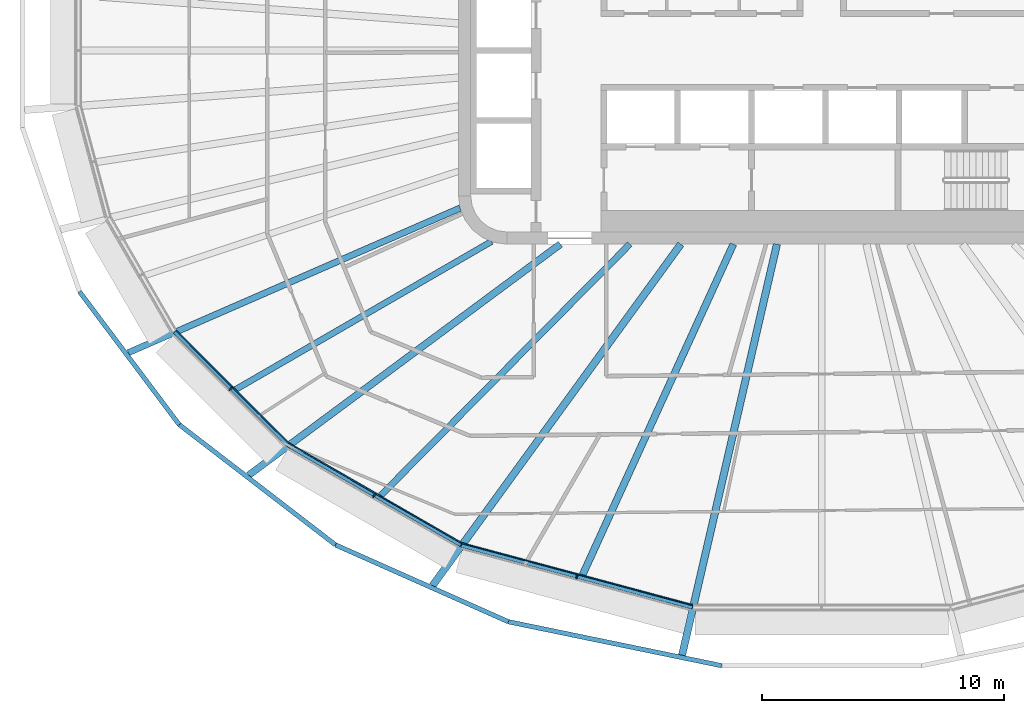
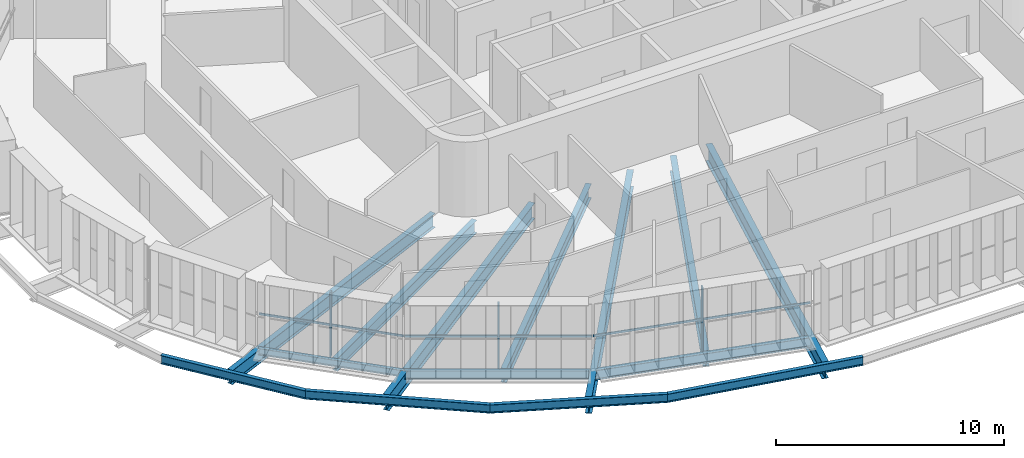
# One storey, part 1 of 22: 14 beams, 6 members, 3 elements without a shape of their own.
"""IFC4 building model written with IfcOpenShell, lengths in metres."""

from ifc_helpers import new_model, si_unit, direction, frame, origin, origin_2d, place, context, subcontext, project, spatial, rectangle, i_section, extrude, material, layer, layer_set, material_profile, profile_set, type_object, element, aggregate, save


model = new_model("IFC4")

# Units and contexts
model_context = context("Model", 3, precision=1e-05, world=origin(), true_north=direction((0.0, 1.0)))
body_context = subcontext(model_context, "Body", "Model", "MODEL_VIEW")
ifc_project = project(units=[si_unit("LENGTHUNIT", "METRE"), si_unit("AREAUNIT", "SQUARE_METRE"), si_unit("VOLUMEUNIT", "CUBIC_METRE"), si_unit("PLANEANGLEUNIT", "RADIAN"), si_unit("MASSUNIT", "GRAM", prefix="KILO")], contexts=[model_context])

# Site, building, storey
site_placement = place(None, origin())
site = spatial("IfcSite", under=ifc_project, at=site_placement, CompositionType="ELEMENT")
building_placement = place(site_placement, origin())
building = spatial("IfcBuilding", under=site, at=building_placement, Name="Sahrelin Media Tower", CompositionType="ELEMENT")
storey_placement = place(building_placement, frame((0.0, 0.0, 189.60009765625)))
storey = spatial("IfcBuildingStorey", under=building, at=storey_placement, Name="L40", CompositionType="ELEMENT", Elevation=189.60009765625)

# Beams
ifc_material_1 = material(Name="Steel S355", Category="steel")
ifc_material_profile_1 = material_profile(ifc_material_1, i_section(OverallWidth=0.17138671875, OverallDepth=0.35498046875, WebThickness=0.00732421875, FlangeThickness=0.011474609375, FilletRadius=0.01025390625, at=origin_2d()), Name="UB 356x171x51")
ifc_profile_set_1 = profile_set([ifc_material_profile_1], Name="Steel S355")
beam_type_1 = type_object("IfcBeamType", Name="Edge beam EB3", PredefinedType="BEAM", material=ifc_profile_set_1)
beam_1_placement = place(storey_placement, frame((-22.05224609375, -16.27490234375, -0.32763671875), z_axis=(-0.70708825429, 0.707125307597, 0.0), x_axis=(-0.707125307597, -0.70708825429, 0.0)))
element("IfcBeam", 1, at=beam_1_placement, inside=storey, type_object=beam_type_1, Name="Edge beam L40-10", PredefinedType="BEAM", context=body_context, shape_type="SweptSolid", body=[
    extrude(i_section(OverallWidth=0.17138671875, OverallDepth=0.35498046875, WebThickness=0.00732421875, FlangeThickness=0.011474609375, FilletRadius=0.01025390625, at=origin_2d()), origin(), (0.0, 0.0, 1.0), 6.5888671875),
])
ifc_material_profile_2 = material_profile(ifc_material_1, i_section(OverallWidth=0.1904296875, OverallDepth=0.45703125, WebThickness=0.009033203125, FlangeThickness=0.014404296875, FilletRadius=0.01025390625, at=origin_2d()), Name="UB 457x191x74")
ifc_profile_set_2 = profile_set([ifc_material_profile_2], Name="Steel S355")
beam_type_2 = type_object("IfcBeamType", Name="Edge beam EB5", PredefinedType="BEAM", material=ifc_profile_set_2)
beam_2_placement = place(storey_placement, frame((-14.901611328125, -20.40771484375, -0.378662109375), z_axis=(-0.8660092336, 0.500028006535, 0.0), x_axis=(-0.500028006535, -0.8660092336, 0.0)))
element("IfcBeam", 2, at=beam_2_placement, inside=storey, type_object=beam_type_2, Name="Edge beam L40-09", PredefinedType="BEAM", context=body_context, shape_type="SweptSolid", body=[
    extrude(i_section(OverallWidth=0.1904296875, OverallDepth=0.45703125, WebThickness=0.009033203125, FlangeThickness=0.014404296875, FilletRadius=0.01025390625, at=origin_2d()), origin(), (0.0, 0.0, 1.0), 8.23046875),
])
ifc_material_profile_3 = material_profile(ifc_material_1, i_section(OverallWidth=0.208740234375, OverallDepth=0.5283203125, WebThickness=0.009521484375, FlangeThickness=0.01318359375, FilletRadius=0.0126953125, at=origin_2d()), Name="UB 533x210x82")
ifc_profile_set_3 = profile_set([ifc_material_profile_3], Name="Steel S355")
beam_type_3 = type_object("IfcBeamType", Name="Edge beam EB6", PredefinedType="BEAM", material=ifc_profile_set_3)
beam_3_placement = place(storey_placement, frame((-5.333984375, -22.97509765625, -0.414306640625), z_axis=(-0.965928634298, 0.258808565244, 0.0), x_axis=(-0.258808565244, -0.965928634298, 0.0)))
element("IfcBeam", 3, at=beam_3_placement, inside=storey, type_object=beam_type_3, Name="Edge beam L40-08", PredefinedType="BEAM", context=body_context, shape_type="SweptSolid", body=[
    extrude(i_section(OverallWidth=0.208740234375, OverallDepth=0.5283203125, WebThickness=0.009521484375, FlangeThickness=0.01318359375, FilletRadius=0.0126953125, at=origin_2d()), origin(), (0.0, 0.0, 1.0), 9.87744140625),
])

# Curtain wall, member
ifc_material_2 = material(Name="Champagne anodised aluminium 6063-T6", Category="aluminium")
ifc_layer = layer(ifc_material_2, 0.14990234375)
ifc_layer_set = layer_set([ifc_layer], Name="Tower ribbon curtain wall")
curtain_wall_type = type_object("IfcCurtainWallType", Name="Tower ribbon curtain wall", PredefinedType="NOTDEFINED", material=ifc_layer_set)
curtain_wall_1_placement = place(storey_placement, frame((-24.48779296875, -14.05126953125, 0.0), z_axis=(0.0, 0.0, 1.0), x_axis=(1.0, 0.0, 0.0)))
curtain_wall_1 = element("IfcCurtainWall", 4, at=curtain_wall_1_placement, inside=storey, type_object=curtain_wall_type, Name="L40:CW:L40-15", PredefinedType="NOTDEFINED")
ifc_material_profile_4 = material_profile(ifc_material_2, rectangle(XDim=0.06005859375, YDim=0.175048828125, at=origin_2d()), Name="Mullion 60x175")
ifc_profile_set_4 = profile_set([ifc_material_profile_4], Name="Champagne anodised aluminium 6063-T6")
member_type_1 = type_object("IfcMemberType", Name="Mullion 60x175 CW1B", PredefinedType="MULLION", material=ifc_profile_set_4)
member_1_placement = place(storey_placement, frame((-24.411865234375, -13.975341796875, 0.0), z_axis=(0.0, 0.0, 1.0), x_axis=(0.707106781187, -0.707106781187, 0.0)))
member_1 = element("IfcMember", 5, at=member_1_placement, type_object=member_type_1, Name="L40:CWM:L40-15", PredefinedType="MULLION", context=body_context, shape_type="SweptSolid", body=[
    extrude(rectangle(XDim=0.06005859375, YDim=0.175048828125, at=origin_2d()), origin(), (0.0, 0.0, 1.0), 3.448486328125),
])

curtain_wall_2_placement = place(storey_placement, frame((-18.540283203125, -18.479736328125, 0.0), z_axis=(0.0, 0.0, 1.0), x_axis=(1.0, 0.0, 0.0)))
curtain_wall_2 = element("IfcCurtainWall", 6, at=curtain_wall_2_placement, inside=storey, type_object=curtain_wall_type, Name="L40:CW:L40-16", PredefinedType="NOTDEFINED")
member_2_placement = place(storey_placement, frame((-18.48681640625, -18.38671875, 0.0), z_axis=(0.0, 0.0, 1.0), x_axis=(0.86602365845, -0.500003022996, 0.0)))
member_2 = element("IfcMember", 7, at=member_2_placement, type_object=member_type_1, Name="L40:CWM:L40-16", PredefinedType="MULLION", context=body_context, shape_type="SweptSolid", body=[
    extrude(rectangle(XDim=0.06005859375, YDim=0.175048828125, at=origin_2d()), origin(), (0.0, 0.0, 1.0), 3.448486328125),
])

curtain_wall_3_placement = place(storey_placement, frame((-10.143310546875, -21.841796875, 0.0), z_axis=(0.0, 0.0, 1.0), x_axis=(1.0, 0.0, 0.0)))
curtain_wall_3 = element("IfcCurtainWall", 8, at=curtain_wall_3_placement, inside=storey, type_object=curtain_wall_type, Name="L40:CW:L40-17", PredefinedType="NOTDEFINED")
member_3_placement = place(storey_placement, frame((-10.115478515625, -21.73779296875, 0.0), z_axis=(0.0, 0.0, 1.0), x_axis=(0.965924922834, -0.258822416818, 0.0)))
member_3 = element("IfcMember", 9, at=member_3_placement, type_object=member_type_1, Name="L40:CWM:L40-17", PredefinedType="MULLION", context=body_context, shape_type="SweptSolid", body=[
    extrude(rectangle(XDim=0.06005859375, YDim=0.175048828125, at=origin_2d()), origin(), (0.0, 0.0, 1.0), 3.448486328125),
])

# Beams
ifc_material_profile_5 = material_profile(ifc_material_1, i_section(OverallWidth=0.291748046875, OverallDepth=0.8349609375, WebThickness=0.013916015625, FlangeThickness=0.018798828125, FilletRadius=0.017822265625, at=origin_2d()), Name="UB 838x292x176")
ifc_profile_set_5 = profile_set([ifc_material_profile_5], Name="Steel S355")
beam_type_4 = type_object("IfcBeamType", Name="Radial primary beam PB10", PredefinedType="BEAM", material=ifc_profile_set_5)
beam_4_placement = place(storey_placement, frame((-10.793701171875, -8.0, -0.567626953125), z_axis=(-0.803389813403, -0.595453447148, 0.0), x_axis=(0.595453447148, -0.803389813403, 0.0)))
element("IfcBeam", 10, at=beam_4_placement, inside=storey, type_object=beam_type_4, Name="Radial beam L40-16", PredefinedType="BEAM", context=body_context, shape_type="SweptSolid", body=[
    extrude(i_section(OverallWidth=0.291748046875, OverallDepth=0.8349609375, WebThickness=0.013916015625, FlangeThickness=0.018798828125, FilletRadius=0.017822265625, at=origin_2d()), origin(), (0.0, 0.0, 1.0), 16.023193359375),
])
ifc_material_profile_6 = material_profile(ifc_material_1, i_section(OverallWidth=0.30322265625, OverallDepth=0.903076171875, WebThickness=0.01513671875, FlangeThickness=0.020263671875, FilletRadius=0.01904296875, at=origin_2d()), Name="UB 914x305x201")
ifc_profile_set_6 = profile_set([ifc_material_profile_6], Name="Steel S355")
beam_type_5 = type_object("IfcBeamType", Name="Radial primary beam PB11", PredefinedType="BEAM", material=ifc_profile_set_6)
beam_5_placement = place(storey_placement, frame((-5.8173828125, -8.0, -0.6015625), z_axis=(-0.588130895743, -0.808765756862, 0.0), x_axis=(0.808765756862, -0.588130895743, 0.0)))
element("IfcBeam", 11, at=beam_5_placement, inside=storey, type_object=beam_type_5, Name="Radial beam L40-17", PredefinedType="BEAM", context=body_context, shape_type="SweptSolid", body=[
    extrude(i_section(OverallWidth=0.30322265625, OverallDepth=0.903076171875, WebThickness=0.01513671875, FlangeThickness=0.020263671875, FilletRadius=0.01904296875, at=origin_2d()), origin(), (0.0, 0.0, 1.0), 17.43359375),
])
beam_6_placement = place(storey_placement, frame((-1.846923828125, -8.0, -0.6015625), z_axis=(-0.224946489575, -0.974371118634, 0.0), x_axis=(0.974371118634, -0.224946489575, 0.0)))
element("IfcBeam", 12, at=beam_6_placement, inside=storey, type_object=beam_type_5, Name="Radial beam L40-18", PredefinedType="BEAM", context=body_context, shape_type="SweptSolid", body=[
    extrude(i_section(OverallWidth=0.30322265625, OverallDepth=0.903076171875, WebThickness=0.01513671875, FlangeThickness=0.020263671875, FilletRadius=0.01904296875, at=origin_2d()), origin(), (0.0, 0.0, 1.0), 17.423828125),
])
ifc_material_profile_7 = material_profile(ifc_material_1, i_section(OverallWidth=0.26513671875, OverallDepth=0.75390625, WebThickness=0.0126953125, FlangeThickness=0.017578125, FilletRadius=0.0166015625, at=origin_2d()), Name="UB 762x267x147")
ifc_profile_set_7 = profile_set([ifc_material_profile_7], Name="Steel S355")
beam_type_6 = type_object("IfcBeamType", Name="Radial primary beam PB9", PredefinedType="BEAM", material=ifc_profile_set_7)
beam_7_placement = place(storey_placement, frame((-14.93310546875, -6.5078125, -0.527099609375), z_axis=(-0.916726625992, -0.399515072555, 0.0), x_axis=(0.399515072555, -0.916726625992, 0.0)))
element("IfcBeam", 13, at=beam_7_placement, inside=storey, type_object=beam_type_6, Name="Radial beam L40-15", PredefinedType="BEAM", context=body_context, shape_type="SweptSolid", body=[
    extrude(i_section(OverallWidth=0.26513671875, OverallDepth=0.75390625, WebThickness=0.0126953125, FlangeThickness=0.017578125, FilletRadius=0.0166015625, at=origin_2d()), origin(), (0.0, 0.0, 1.0), 14.955810546875),
])
ifc_material_profile_8 = material_profile(ifc_material_1, i_section(OverallWidth=0.291748046875, OverallDepth=0.8349609375, WebThickness=0.013916015625, FlangeThickness=0.018798828125, FilletRadius=0.017822265625, at=origin_2d()), Name="UB 838x292x176")
ifc_profile_set_8 = profile_set([ifc_material_profile_8], Name="Steel S355")
beam_type_7 = type_object("IfcBeamType", Name="Radial secondary beam SB10", PredefinedType="BEAM", material=ifc_profile_set_8)
beam_8_placement = place(storey_placement, frame((-3.647705078125, -8.0, -0.567626953125), z_axis=(-0.414888908569, -0.909872075374, 0.0), x_axis=(0.909872075374, -0.414888908569, 0.0)))
element("IfcBeam", 14, at=beam_8_placement, inside=storey, type_object=beam_type_7, Name="Secondary beam L40-17", PredefinedType="BEAM", context=body_context, shape_type="SweptSolid", body=[
    extrude(i_section(OverallWidth=0.291748046875, OverallDepth=0.8349609375, WebThickness=0.013916015625, FlangeThickness=0.018798828125, FilletRadius=0.017822265625, at=origin_2d()), origin(), (0.0, 0.0, 1.0), 15.003173828125),
])
ifc_material_profile_9 = material_profile(ifc_material_1, i_section(OverallWidth=0.2529296875, OverallDepth=0.677978515625, WebThickness=0.01171875, FlangeThickness=0.01611328125, FilletRadius=0.01513671875, at=origin_2d()), Name="UB 686x254x125")
ifc_profile_set_9 = profile_set([ifc_material_profile_9], Name="Steel S355")
beam_type_8 = type_object("IfcBeamType", Name="Radial secondary beam SB8", PredefinedType="BEAM", material=ifc_profile_set_9)
beam_9_placement = place(storey_placement, frame((-13.63134765625, -7.884765625, -0.489013671875), z_axis=(-0.865627368976, -0.500688783658, 0.0), x_axis=(0.500688783658, -0.865627368976, 0.0)))
element("IfcBeam", 15, at=beam_9_placement, inside=storey, type_object=beam_type_8, Name="Secondary beam L40-15", PredefinedType="BEAM", context=body_context, shape_type="SweptSolid", body=[
    extrude(i_section(OverallWidth=0.2529296875, OverallDepth=0.677978515625, WebThickness=0.01171875, FlangeThickness=0.01611328125, FilletRadius=0.01513671875, at=origin_2d()), origin(), (0.0, 0.0, 1.0), 12.215087890625),
])
ifc_material_profile_10 = material_profile(ifc_material_1, i_section(OverallWidth=0.26513671875, OverallDepth=0.75390625, WebThickness=0.0126953125, FlangeThickness=0.017578125, FilletRadius=0.0166015625, at=origin_2d()), Name="UB 762x267x147")
ifc_profile_set_10 = profile_set([ifc_material_profile_10], Name="Steel S355")
beam_type_9 = type_object("IfcBeamType", Name="Radial secondary beam SB9", PredefinedType="BEAM", material=ifc_profile_set_10)
beam_10_placement = place(storey_placement, frame((-7.927490234375, -8.0, -0.527099609375), z_axis=(-0.70389286124, -0.710306159269, 0.0), x_axis=(0.710306159269, -0.70389286124, 0.0)))
element("IfcBeam", 16, at=beam_10_placement, inside=storey, type_object=beam_type_9, Name="Secondary beam L40-16", PredefinedType="BEAM", context=body_context, shape_type="SweptSolid", body=[
    extrude(i_section(OverallWidth=0.26513671875, OverallDepth=0.75390625, WebThickness=0.0126953125, FlangeThickness=0.017578125, FilletRadius=0.0166015625, at=origin_2d()), origin(), (0.0, 0.0, 1.0), 14.6181640625),
])
ifc_material_profile_11 = material_profile(ifc_material_1, i_section(OverallWidth=0.1904296875, OverallDepth=0.45703125, WebThickness=0.009033203125, FlangeThickness=0.014404296875, FilletRadius=0.01025390625, at=origin_2d()), Name="UB 457x191x74")
ifc_profile_set_11 = profile_set([ifc_material_profile_11], Name="Steel S355")
beam_type_10 = type_object("IfcBeamType", Name="Tie chord TC5", PredefinedType="BEAM", material=ifc_profile_set_11)
beam_11_placement = place(storey_placement, frame((-30.655029296875, -9.9599609375, -0.378662109375), z_axis=(0.600068247982, -0.799948809465, 0.0), x_axis=(0.799948809465, 0.600068247982, 0.0)))
element("IfcBeam", 17, at=beam_11_placement, inside=storey, type_object=beam_type_10, Name="Tie chord L40-14", PredefinedType="BEAM", context=body_context, shape_type="SweptSolid", body=[
    extrude(i_section(OverallWidth=0.1904296875, OverallDepth=0.45703125, WebThickness=0.009033203125, FlangeThickness=0.014404296875, FilletRadius=0.01025390625, at=origin_2d()), origin(), (0.0, 0.0, 1.0), 6.8681640625),
])
beam_12_placement = place(storey_placement, frame((-26.53369140625, -15.4541015625, -0.378662109375), z_axis=(0.79244682071, -0.609941010547, 0.0), x_axis=(0.609941010547, 0.79244682071, 0.0)))
element("IfcBeam", 18, at=beam_12_placement, inside=storey, type_object=beam_type_10, Name="Tie chord L40-15", PredefinedType="BEAM", context=body_context, shape_type="SweptSolid", body=[
    extrude(i_section(OverallWidth=0.1904296875, OverallDepth=0.45703125, WebThickness=0.009033203125, FlangeThickness=0.014404296875, FilletRadius=0.01025390625, at=origin_2d()), origin(), (0.0, 0.0, 1.0), 8.146728515625),
])
beam_13_placement = place(storey_placement, frame((-20.077880859375, -20.423095703125, -0.378662109375), z_axis=(0.913825725951, -0.40610656556, 0.0), x_axis=(0.40610656556, 0.913825725951, 0.0)))
element("IfcBeam", 19, at=beam_13_placement, inside=storey, type_object=beam_type_10, Name="Tie chord L40-16", PredefinedType="BEAM", context=body_context, shape_type="SweptSolid", body=[
    extrude(i_section(OverallWidth=0.1904296875, OverallDepth=0.45703125, WebThickness=0.009033203125, FlangeThickness=0.014404296875, FilletRadius=0.01025390625, at=origin_2d()), origin(), (0.0, 0.0, 1.0), 7.81103515625),
])
beam_14_placement = place(storey_placement, frame((-12.93994140625, -23.59521484375, -0.378662109375), z_axis=(0.979392100264, -0.201968101292, 0.0), x_axis=(0.201968101292, 0.979392100264, 0.0)))
element("IfcBeam", 20, at=beam_14_placement, inside=storey, type_object=beam_type_10, Name="Tie chord L40-17", PredefinedType="BEAM", context=body_context, shape_type="SweptSolid", body=[
    extrude(i_section(OverallWidth=0.1904296875, OverallDepth=0.45703125, WebThickness=0.009033203125, FlangeThickness=0.014404296875, FilletRadius=0.01025390625, at=origin_2d()), origin(), (0.0, 0.0, 1.0), 9.00439453125),
])

# Member
ifc_material_profile_12 = material_profile(ifc_material_2, rectangle(XDim=0.050048828125, YDim=0.110107421875, at=origin_2d()), Name="Transom 50x110")
ifc_profile_set_12 = profile_set([ifc_material_profile_12], Name="Champagne anodised aluminium 6063-T6")
member_type_2 = type_object("IfcMemberType", Name="Transom 50x110 CW1B", PredefinedType="USERDEFINED", material=ifc_profile_set_12)
member_4_placement = place(storey_placement, frame((-26.650634765625, -11.577392578125, 1.599853515625), z_axis=(0.707106781187, -0.707106781187, 0.0), x_axis=(0.707106781187, 0.707106781187, 0.0)))
member_4 = element("IfcMember", 21, at=member_4_placement, type_object=member_type_2, Name="L40:CWT:L40-15", ObjectType="TRANSOM", PredefinedType="USERDEFINED", context=body_context, shape_type="SweptSolid", body=[
    extrude(rectangle(XDim=0.050048828125, YDim=0.110107421875, at=origin_2d()), origin(), (0.0, 0.0, 1.0), 6.557373046875),
])

aggregate(curtain_wall_1, [member_1, member_4])

member_5_placement = place(storey_placement, frame((-21.980712890625, -16.239501953125, 1.599853515625), z_axis=(0.866020958405, -0.500007699544, 0.0), x_axis=(0.500007699544, 0.866020958405, 0.0)))
member_5 = element("IfcMember", 22, at=member_5_placement, type_object=member_type_2, Name="L40:CWT:L40-16", ObjectType="TRANSOM", PredefinedType="USERDEFINED", context=body_context, shape_type="SweptSolid", body=[
    extrude(rectangle(XDim=0.050048828125, YDim=0.110107421875, at=origin_2d()), origin(), (0.0, 0.0, 1.0), 8.198974609375),
])

aggregate(curtain_wall_2, [member_2, member_5])

member_6_placement = place(storey_placement, frame((-14.841796875, -20.35498046875, 1.599853515625), z_axis=(0.965921045244, -0.258836887547, 0.0), x_axis=(0.258836887547, 0.965921045244, 0.0)))
member_6 = element("IfcMember", 23, at=member_6_placement, type_object=member_type_2, Name="L40:CWT:L40-17", ObjectType="TRANSOM", PredefinedType="USERDEFINED", context=body_context, shape_type="SweptSolid", body=[
    extrude(rectangle(XDim=0.050048828125, YDim=0.110107421875, at=origin_2d()), origin(), (0.0, 0.0, 1.0), 9.84619140625),
])

aggregate(curtain_wall_3, [member_3, member_6])

save(model, "model.ifc")
